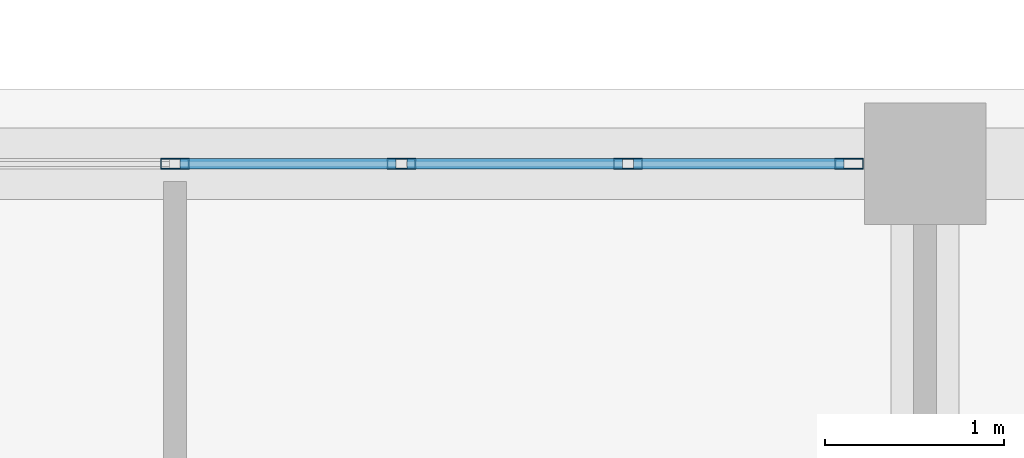
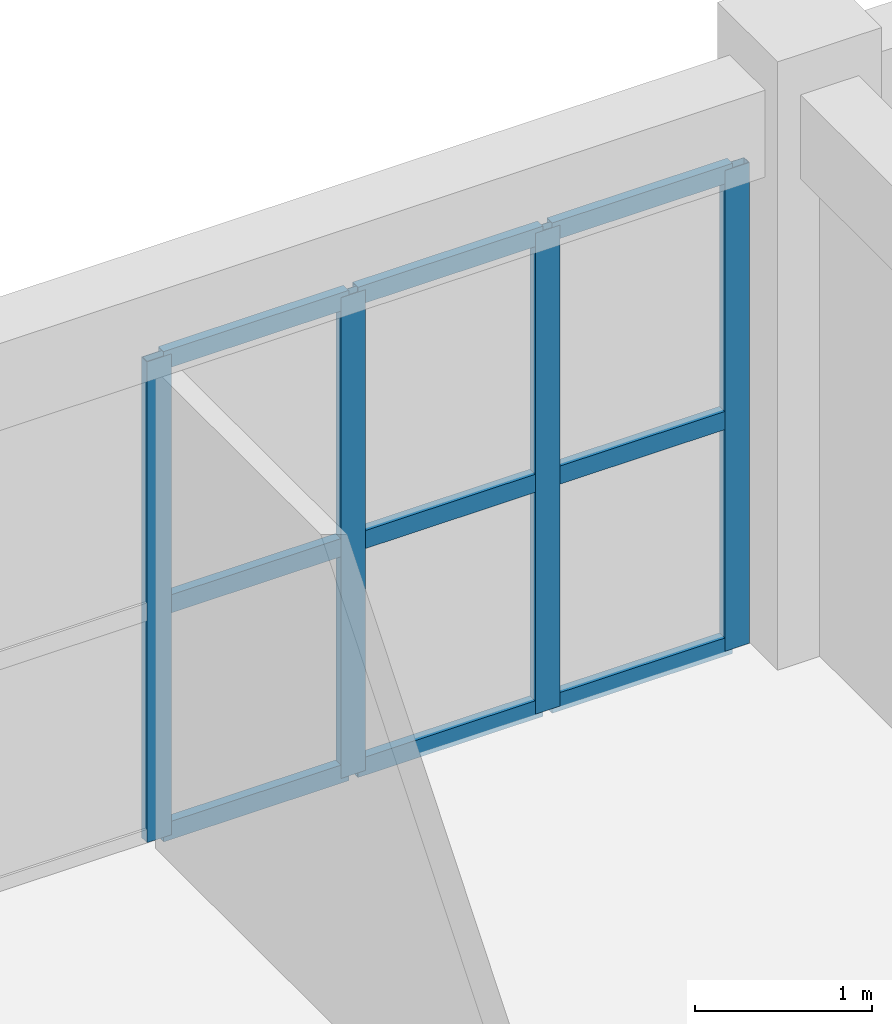
# One storey, part 83 of 140: 13 members, 1 element without a shape of its own.
"""IFC4 building model written with IfcOpenShell, lengths in metres."""

from ifc_helpers import new_model, si_unit, direction, frame, origin, origin_2d, place, context, subcontext, project, spatial, hollow_rectangle, extrude, material, layer, layer_set, material_profile, profile_set, type_object, element, aggregate, save


model = new_model("IFC4")

# Units and contexts
model_context = context("Model", 3, precision=1e-05, world=origin(), true_north=direction((0.0, 1.0)))
body_context = subcontext(model_context, "Body", "Model", "MODEL_VIEW")
ifc_project = project(units=[si_unit("LENGTHUNIT", "METRE"), si_unit("AREAUNIT", "SQUARE_METRE"), si_unit("VOLUMEUNIT", "CUBIC_METRE"), si_unit("PLANEANGLEUNIT", "RADIAN"), si_unit("MASSUNIT", "GRAM", prefix="KILO")], contexts=[model_context])

# Site, building, storey
site_placement = place(None, origin())
site = spatial("IfcSite", under=ifc_project, at=site_placement, CompositionType="ELEMENT")
building_placement = place(site_placement, origin())
building = spatial("IfcBuilding", under=site, at=building_placement, Name="Trelvath General Hospital", CompositionType="ELEMENT")
storey_placement = place(building_placement, frame((0.0, 0.0, 16.199951171875)))
storey = spatial("IfcBuildingStorey", under=building, at=storey_placement, Name="L04", CompositionType="ELEMENT", Elevation=16.199951171875)

# Curtain wall, members
ifc_material_1 = material(Name="Anodised aluminium and low-E glass", Category="aluminium")
ifc_layer = layer(ifc_material_1, 0.14990234375)
ifc_layer_set = layer_set([ifc_layer], Name="Anodised aluminium and low-E glass")
curtain_wall_type = type_object("IfcCurtainWallType", Name="CW Facade 761 332 15", PredefinedType="USERDEFINED", material=ifc_layer_set)
curtain_wall_placement = place(storey_placement, origin())
curtain_wall = element("IfcCurtainWall", 1, at=curtain_wall_placement, inside=storey, type_object=curtain_wall_type, Name="Facade Curtain Wall CW-067", ObjectType="Unitised Glazed Curtain Wall", PredefinedType="USERDEFINED")
ifc_material_2 = material(Name="Anodised aluminium", Category="aluminium")
ifc_material_profile_1 = material_profile(ifc_material_2, hollow_rectangle(XDim=0.06005859375, YDim=0.159912109375, WallThickness=0.00390625, at=origin_2d()), Name="RHS60x160x4")
ifc_profile_set_1 = profile_set([ifc_material_profile_1], Name="Anodised aluminium")
member_type_1 = type_object("IfcMemberType", Name="CurtainMullion 60x160", PredefinedType="MULLION", material=ifc_profile_set_1)
member_1_placement = place(storey_placement, frame((96.60009765625, 117.60009765625, 0.0), z_axis=(0.0, 0.0, 1.0), x_axis=(0.0, 1.0, 0.0)))
member_1 = element("IfcMember", 2, at=member_1_placement, type_object=member_type_1, Name="CW-067 mullion 4", PredefinedType="MULLION", context=body_context, shape_type="SweptSolid", body=[
    extrude(hollow_rectangle(XDim=0.06005859375, YDim=0.159912109375, WallThickness=0.00390625, at=origin_2d()), origin(), (0.0, 0.0, 1.0), 3.320068359375),
])
member_2_placement = place(storey_placement, frame((97.868408203125, 117.60009765625, 0.0), z_axis=(0.0, 0.0, 1.0), x_axis=(0.0, 1.0, 0.0)))
member_2 = element("IfcMember", 3, at=member_2_placement, type_object=member_type_1, Name="CW-067 mullion 5", PredefinedType="MULLION", context=body_context, shape_type="SweptSolid", body=[
    extrude(hollow_rectangle(XDim=0.06005859375, YDim=0.159912109375, WallThickness=0.00390625, at=origin_2d()), origin(), (0.0, 0.0, 1.0), 3.320068359375),
])
member_3_placement = place(storey_placement, frame((99.13671875, 117.60009765625, 0.0), z_axis=(0.0, 0.0, 1.0), x_axis=(0.0, 1.0, 0.0)))
member_3 = element("IfcMember", 4, at=member_3_placement, type_object=member_type_1, Name="CW-067 mullion 6", PredefinedType="MULLION", context=body_context, shape_type="SweptSolid", body=[
    extrude(hollow_rectangle(XDim=0.06005859375, YDim=0.159912109375, WallThickness=0.00390625, at=origin_2d()), origin(), (0.0, 0.0, 1.0), 3.320068359375),
])
member_4_placement = place(storey_placement, frame((100.375, 117.60009765625, 0.0), z_axis=(0.0, 0.0, 1.0), x_axis=(0.0, 1.0, 0.0)))
member_4 = element("IfcMember", 5, at=member_4_placement, type_object=member_type_1, Name="CW-067 mullion 7", PredefinedType="MULLION", context=body_context, shape_type="SweptSolid", body=[
    extrude(hollow_rectangle(XDim=0.06005859375, YDim=0.159912109375, WallThickness=0.00390625, at=origin_2d()), origin(), (0.0, 0.0, 1.0), 3.320068359375),
])
ifc_material_3 = material(Name="Anodised aluminium", Category="aluminium")
ifc_material_profile_2 = material_profile(ifc_material_3, hollow_rectangle(XDim=0.06005859375, YDim=0.125, WallThickness=0.00390625, at=origin_2d()), Name="RHS60x125x4")
ifc_profile_set_2 = profile_set([ifc_material_profile_2], Name="Anodised aluminium")
member_type_2 = type_object("IfcMemberType", Name="CurtainTransom 60x125", PredefinedType="USERDEFINED", material=ifc_profile_set_2)
member_5_placement = place(storey_placement, frame((96.6298828125, 117.60009765625, 0.030029296875), z_axis=(1.0, 0.0, 0.0), x_axis=(0.0, 1.0, 0.0)))
member_5 = element("IfcMember", 6, at=member_5_placement, type_object=member_type_2, Name="CW-067 transom 4.1", ObjectType="TRANSOM", PredefinedType="USERDEFINED", context=body_context, shape_type="SweptSolid", body=[
    extrude(hollow_rectangle(XDim=0.06005859375, YDim=0.125, WallThickness=0.00390625, at=origin_2d()), origin(), (0.0, 0.0, 1.0), 1.20849609375),
])
member_6_placement = place(storey_placement, frame((96.6298828125, 117.60009765625, 1.593994140625), z_axis=(1.0, 0.0, 0.0), x_axis=(0.0, 1.0, 0.0)))
member_6 = element("IfcMember", 7, at=member_6_placement, type_object=member_type_2, Name="CW-067 transom 4.2", ObjectType="TRANSOM", PredefinedType="USERDEFINED", context=body_context, shape_type="SweptSolid", body=[
    extrude(hollow_rectangle(XDim=0.06005859375, YDim=0.125, WallThickness=0.00390625, at=origin_2d()), origin(), (0.0, 0.0, 1.0), 1.20849609375),
])
member_7_placement = place(storey_placement, frame((96.6298828125, 117.60009765625, 3.2900390625), z_axis=(1.0, 0.0, 0.0), x_axis=(0.0, 1.0, 0.0)))
member_7 = element("IfcMember", 8, at=member_7_placement, type_object=member_type_2, Name="CW-067 transom 4.3", ObjectType="TRANSOM", PredefinedType="USERDEFINED", context=body_context, shape_type="SweptSolid", body=[
    extrude(hollow_rectangle(XDim=0.06005859375, YDim=0.125, WallThickness=0.00390625, at=origin_2d()), origin(), (0.0, 0.0, 1.0), 1.20849609375),
])
member_8_placement = place(storey_placement, frame((97.8984375, 117.60009765625, 0.030029296875), z_axis=(1.0, 0.0, 0.0), x_axis=(0.0, 1.0, 0.0)))
member_8 = element("IfcMember", 9, at=member_8_placement, type_object=member_type_2, Name="CW-067 transom 5.1", ObjectType="TRANSOM", PredefinedType="USERDEFINED", context=body_context, shape_type="SweptSolid", body=[
    extrude(hollow_rectangle(XDim=0.06005859375, YDim=0.125, WallThickness=0.00390625, at=origin_2d()), origin(), (0.0, 0.0, 1.0), 1.208251953125),
])
member_9_placement = place(storey_placement, frame((97.8984375, 117.60009765625, 1.593994140625), z_axis=(1.0, 0.0, 0.0), x_axis=(0.0, 1.0, 0.0)))
member_9 = element("IfcMember", 10, at=member_9_placement, type_object=member_type_2, Name="CW-067 transom 5.2", ObjectType="TRANSOM", PredefinedType="USERDEFINED", context=body_context, shape_type="SweptSolid", body=[
    extrude(hollow_rectangle(XDim=0.06005859375, YDim=0.125, WallThickness=0.00390625, at=origin_2d()), origin(), (0.0, 0.0, 1.0), 1.208251953125),
])
member_10_placement = place(storey_placement, frame((97.8984375, 117.60009765625, 3.2900390625), z_axis=(1.0, 0.0, 0.0), x_axis=(0.0, 1.0, 0.0)))
member_10 = element("IfcMember", 11, at=member_10_placement, type_object=member_type_2, Name="CW-067 transom 5.3", ObjectType="TRANSOM", PredefinedType="USERDEFINED", context=body_context, shape_type="SweptSolid", body=[
    extrude(hollow_rectangle(XDim=0.06005859375, YDim=0.125, WallThickness=0.00390625, at=origin_2d()), origin(), (0.0, 0.0, 1.0), 1.208251953125),
])
member_11_placement = place(storey_placement, frame((99.166748046875, 117.60009765625, 0.030029296875), z_axis=(1.0, 0.0, 0.0), x_axis=(0.0, 1.0, 0.0)))
member_11 = element("IfcMember", 12, at=member_11_placement, type_object=member_type_2, Name="CW-067 transom 6.1", ObjectType="TRANSOM", PredefinedType="USERDEFINED", context=body_context, shape_type="SweptSolid", body=[
    extrude(hollow_rectangle(XDim=0.06005859375, YDim=0.125, WallThickness=0.00390625, at=origin_2d()), origin(), (0.0, 0.0, 1.0), 1.17822265625),
])
member_12_placement = place(storey_placement, frame((99.166748046875, 117.60009765625, 1.593994140625), z_axis=(1.0, 0.0, 0.0), x_axis=(0.0, 1.0, 0.0)))
member_12 = element("IfcMember", 13, at=member_12_placement, type_object=member_type_2, Name="CW-067 transom 6.2", ObjectType="TRANSOM", PredefinedType="USERDEFINED", context=body_context, shape_type="SweptSolid", body=[
    extrude(hollow_rectangle(XDim=0.06005859375, YDim=0.125, WallThickness=0.00390625, at=origin_2d()), origin(), (0.0, 0.0, 1.0), 1.17822265625),
])
member_13_placement = place(storey_placement, frame((99.166748046875, 117.60009765625, 3.2900390625), z_axis=(1.0, 0.0, 0.0), x_axis=(0.0, 1.0, 0.0)))
member_13 = element("IfcMember", 14, at=member_13_placement, type_object=member_type_2, Name="CW-067 transom 6.3", ObjectType="TRANSOM", PredefinedType="USERDEFINED", context=body_context, shape_type="SweptSolid", body=[
    extrude(hollow_rectangle(XDim=0.06005859375, YDim=0.125, WallThickness=0.00390625, at=origin_2d()), origin(), (0.0, 0.0, 1.0), 1.17822265625),
])
aggregate(curtain_wall, [member_1, member_2, member_3, member_4, member_5, member_6, member_7, member_8, member_9, member_10, member_11, member_12, member_13])

save(model, "model.ifc")
